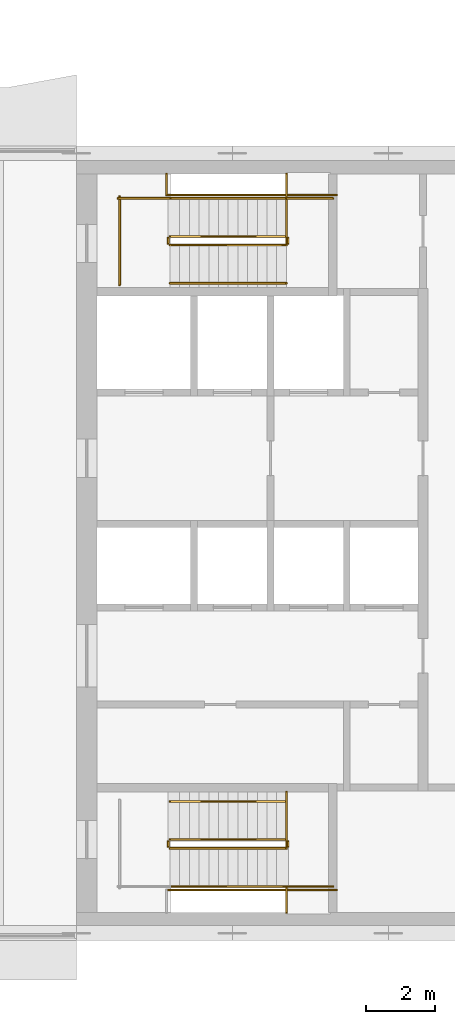
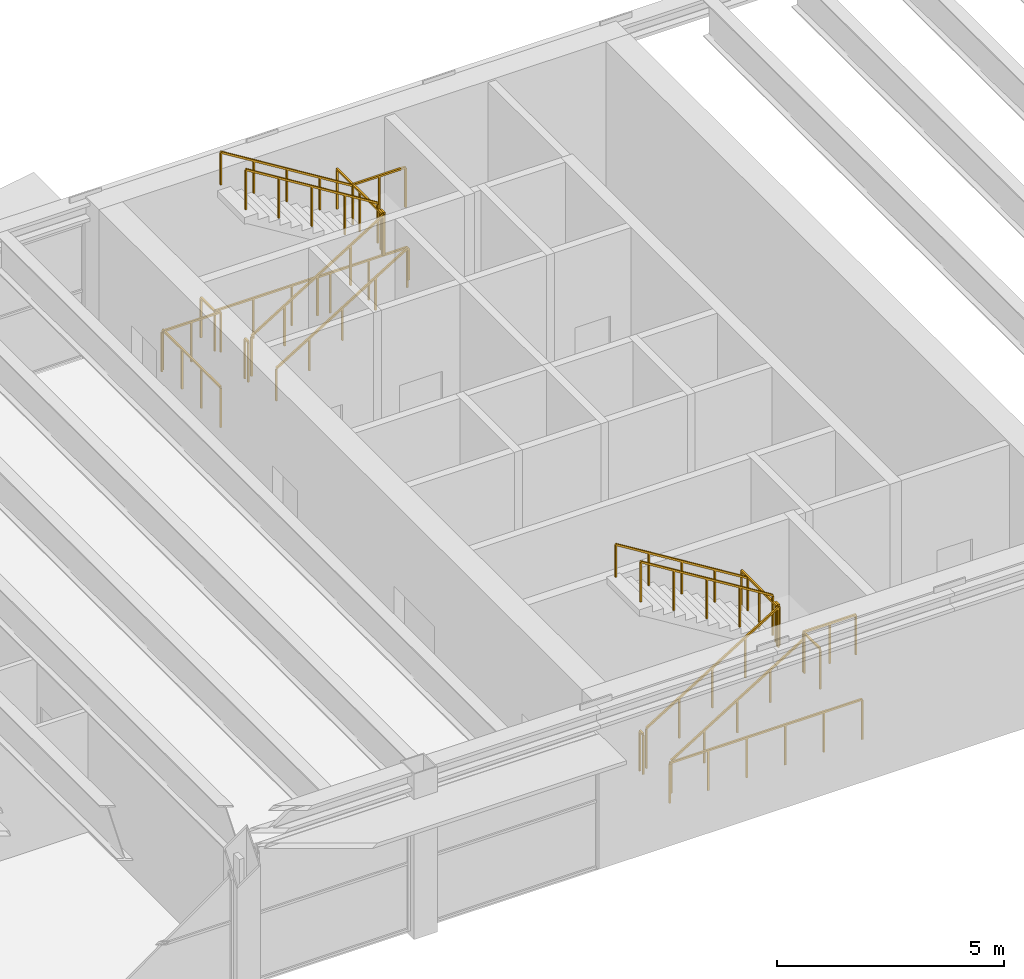
# One storey, part 15 of 15: 22 railings.
"""IFC4 building model written with IfcOpenShell, lengths in metres."""

from ifc_helpers import new_model, si_unit, direction, frame, origin, origin_2d, place, context, subcontext, project, spatial, rectangle, extrude, material, type_object, element, save


model = new_model("IFC4")

# Units and contexts
model_context = context("Model", 3, precision=1e-05, world=origin(), true_north=direction((0.0, 1.0)))
body_context = subcontext(model_context, "Body", "Model", "MODEL_VIEW")
ifc_project = project(units=[si_unit("LENGTHUNIT", "METRE"), si_unit("AREAUNIT", "SQUARE_METRE"), si_unit("VOLUMEUNIT", "CUBIC_METRE"), si_unit("PLANEANGLEUNIT", "RADIAN"), si_unit("MASSUNIT", "GRAM", prefix="KILO")], contexts=[model_context])

# Site, building, storey
site_placement = place(None, origin())
site = spatial("IfcSite", under=ifc_project, at=site_placement, CompositionType="ELEMENT")
building_placement = place(site_placement, origin())
building = spatial("IfcBuilding", under=site, at=building_placement, Name="Sennacour Bend Tower", CompositionType="ELEMENT")
storey_placement = place(building_placement, frame((0.0, 0.0, 341.0)))
storey = spatial("IfcBuildingStorey", under=building, at=storey_placement, Name="L78", CompositionType="ELEMENT", Elevation=341.0)

# Railings
ifc_material = material(Name="Stainless steel", Category="steel")
railing_type_1 = type_object("IfcRailingType", Name="RL-GUARD-1100", PredefinedType="GUARDRAIL", material=ifc_material)
railing_1_placement = place(storey_placement, frame((56.699951171875, 2.449951171875, 0.173095703125)))
element("IfcRailing", 1, at=railing_1_placement, inside=storey, type_object=railing_type_1, Name="L78 SA1 stair guard 1", PredefinedType="GUARDRAIL", context=body_context, shape_type="SweptSolid", body=[
    extrude(rectangle(XDim=0.048095703125, YDim=0.048095703125, at=origin_2d()), frame((0.0, 0.0, 1.076171875), z_axis=(0.850623216509, 0.0, 0.525775754039), x_axis=(0.0, 1.0, 0.0)), (0.0, 0.0, 1.0), 3.9501953125),
    extrude(rectangle(XDim=0.0419921875, YDim=0.0419921875, at=origin_2d()), origin(), (0.0, 0.0, 1.0), 1.052001953125),
    extrude(rectangle(XDim=0.0419921875, YDim=0.0419921875, at=origin_2d()), frame((0.840087890625, 0.0, 0.519287109375)), (0.0, 0.0, 1.0), 1.052001953125),
    extrude(rectangle(XDim=0.0419921875, YDim=0.0419921875, at=origin_2d()), frame((1.68017578125, 0.0, 1.03857421875)), (0.0, 0.0, 1.0), 1.052001953125),
    extrude(rectangle(XDim=0.0419921875, YDim=0.0419921875, at=origin_2d()), frame((2.52001953125, 0.0, 1.5576171875)), (0.0, 0.0, 1.0), 1.052001953125),
    extrude(rectangle(XDim=0.0419921875, YDim=0.0419921875, at=origin_2d()), frame((3.360107421875, 0.0, 2.076904296875)), (0.0, 0.0, 1.0), 1.052001953125),
])
railing_2_placement = place(storey_placement, frame((60.110107421875, 2.5, 2.25)))
element("IfcRailing", 2, at=railing_2_placement, inside=storey, type_object=railing_type_1, Name="L78 SA1 stair guard 2", PredefinedType="GUARDRAIL", context=body_context, shape_type="SweptSolid", body=[
    extrude(rectangle(XDim=0.048095703125, YDim=0.048095703125, at=origin_2d()), frame((0.0, 0.0, 1.076171875), z_axis=(0.0, 1.0, 0.0), x_axis=(-1.0, 0.0, 0.0)), (0.0, 0.0, 1.0), 0.14990234375),
    extrude(rectangle(XDim=0.0419921875, YDim=0.0419921875, at=origin_2d()), origin(), (0.0, 0.0, 1.0), 1.052001953125),
    extrude(rectangle(XDim=0.0419921875, YDim=0.0419921875, at=origin_2d()), frame((0.0, 0.14990234375, 0.0)), (0.0, 0.0, 1.0), 1.052001953125),
])
railing_3_placement = place(storey_placement, frame((60.06005859375, 1.35009765625, 2.25)))
element("IfcRailing", 3, at=railing_3_placement, inside=storey, type_object=railing_type_1, Name="L78 SA1 stair guard 3", PredefinedType="GUARDRAIL", context=body_context, shape_type="SweptSolid", body=[
    extrude(rectangle(XDim=0.048095703125, YDim=0.048095703125, at=origin_2d()), frame((0.0, 0.0, 1.076171875), z_axis=(1.0, 0.0, 0.0), x_axis=(0.0, 1.0, 0.0)), (0.0, 0.0, 1.0), 1.33984375),
    extrude(rectangle(XDim=0.0419921875, YDim=0.0419921875, at=origin_2d()), origin(), (0.0, 0.0, 1.0), 1.052001953125),
    extrude(rectangle(XDim=0.0419921875, YDim=0.0419921875, at=origin_2d()), frame((0.669921875, 0.0, 0.0)), (0.0, 0.0, 1.0), 1.052001953125),
    extrude(rectangle(XDim=0.0419921875, YDim=0.0419921875, at=origin_2d()), frame((1.33984375, 0.0, 0.0)), (0.0, 0.0, 1.0), 1.052001953125),
])
railing_4_placement = place(storey_placement, frame((60.06005859375, 2.699951171875, 2.423095703125)))
element("IfcRailing", 4, at=railing_4_placement, inside=storey, type_object=railing_type_1, Name="L78 SA1 stair guard 4", PredefinedType="GUARDRAIL", context=body_context, shape_type="SweptSolid", body=[
    extrude(rectangle(XDim=0.048095703125, YDim=0.048095703125, at=origin_2d()), frame((0.0, 0.0, 1.076171875), z_axis=(-0.850623216509, 0.0, 0.525775754039), x_axis=(0.0, -1.0, 0.0)), (0.0, 0.0, 1.0), 3.9501953125),
    extrude(rectangle(XDim=0.0419921875, YDim=0.0419921875, at=origin_2d()), origin(), (0.0, 0.0, 1.0), 1.052001953125),
    extrude(rectangle(XDim=0.0419921875, YDim=0.0419921875, at=origin_2d()), frame((-0.840087890625, 0.0, 0.519287109375)), (0.0, 0.0, 1.0), 1.052001953125),
    extrude(rectangle(XDim=0.0419921875, YDim=0.0419921875, at=origin_2d()), frame((-1.68017578125, 0.0, 1.03857421875)), (0.0, 0.0, 1.0), 1.052001953125),
    extrude(rectangle(XDim=0.0419921875, YDim=0.0419921875, at=origin_2d()), frame((-2.52001953125, 0.0, 1.5576171875)), (0.0, 0.0, 1.0), 1.052001953125),
    extrude(rectangle(XDim=0.0419921875, YDim=0.0419921875, at=origin_2d()), frame((-3.360107421875, 0.0, 2.076904296875)), (0.0, 0.0, 1.0), 1.052001953125),
])
railing_5_placement = place(storey_placement, frame((56.64990234375, 2.5, 0.0)))
element("IfcRailing", 5, at=railing_5_placement, inside=storey, type_object=railing_type_1, Name="L78 SA1 stair guard 5", PredefinedType="GUARDRAIL", context=body_context, shape_type="SweptSolid", body=[
    extrude(rectangle(XDim=0.048095703125, YDim=0.048095703125, at=origin_2d()), frame((0.0, 0.0, 1.076171875), z_axis=(0.0, 1.0, 0.0), x_axis=(-1.0, 0.0, 0.0)), (0.0, 0.0, 1.0), 0.14990234375),
    extrude(rectangle(XDim=0.0419921875, YDim=0.0419921875, at=origin_2d()), origin(), (0.0, 0.0, 1.0), 1.052001953125),
    extrude(rectangle(XDim=0.0419921875, YDim=0.0419921875, at=origin_2d()), frame((0.0, 0.14990234375, 0.0)), (0.0, 0.0, 1.0), 1.052001953125),
])
railing_6_placement = place(storey_placement, frame((56.60009765625, 1.25, 0.0)))
element("IfcRailing", 6, at=railing_6_placement, inside=storey, type_object=railing_type_1, Name="L78 SA1 stair guard 8", PredefinedType="GUARDRAIL", context=body_context, shape_type="SweptSolid", body=[
    extrude(rectangle(XDim=0.048095703125, YDim=0.048095703125, at=origin_2d()), frame((0.0, 0.0, 1.076171875), z_axis=(1.0, 0.0, 0.0), x_axis=(0.0, 1.0, 0.0)), (0.0, 0.0, 1.0), 4.89990234375),
    extrude(rectangle(XDim=0.0419921875, YDim=0.0419921875, at=origin_2d()), origin(), (0.0, 0.0, 1.0), 1.052001953125),
    extrude(rectangle(XDim=0.0419921875, YDim=0.0419921875, at=origin_2d()), frame((0.97998046875, 0.0, 0.0)), (0.0, 0.0, 1.0), 1.052001953125),
    extrude(rectangle(XDim=0.0419921875, YDim=0.0419921875, at=origin_2d()), frame((1.9599609375, 0.0, 0.0)), (0.0, 0.0, 1.0), 1.052001953125),
    extrude(rectangle(XDim=0.0419921875, YDim=0.0419921875, at=origin_2d()), frame((2.93994140625, 0.0, 0.0)), (0.0, 0.0, 1.0), 1.052001953125),
    extrude(rectangle(XDim=0.0419921875, YDim=0.0419921875, at=origin_2d()), frame((3.919921875, 0.0, 0.0)), (0.0, 0.0, 1.0), 1.052001953125),
    extrude(rectangle(XDim=0.0419921875, YDim=0.0419921875, at=origin_2d()), frame((4.89990234375, 0.0, 0.0)), (0.0, 0.0, 1.0), 1.052001953125),
])
railing_7_placement = place(storey_placement, frame((60.06005859375, 0.60009765625, 2.25)))
element("IfcRailing", 7, at=railing_7_placement, inside=storey, type_object=railing_type_1, Name="L78 SA1 landing edge guard 129", PredefinedType="GUARDRAIL", context=body_context, shape_type="SweptSolid", body=[
    extrude(rectangle(XDim=0.048095703125, YDim=0.048095703125, at=origin_2d()), frame((0.0, 0.0, 1.076171875), z_axis=(0.0, 1.0, 0.0), x_axis=(-1.0, 0.0, 0.0)), (0.0, 0.0, 1.0), 0.699951171875),
    extrude(rectangle(XDim=0.0419921875, YDim=0.0419921875, at=origin_2d()), origin(), (0.0, 0.0, 1.0), 1.052001953125),
    extrude(rectangle(XDim=0.0419921875, YDim=0.0419921875, at=origin_2d()), frame((0.0, 0.699951171875, 0.0)), (0.0, 0.0, 1.0), 1.052001953125),
])
railing_8_placement = place(storey_placement, frame((60.06005859375, 2.5, 2.25)))
element("IfcRailing", 8, at=railing_8_placement, inside=storey, type_object=railing_type_1, Name="L78 SA1 landing edge guard 130", PredefinedType="GUARDRAIL", context=body_context, shape_type="SweptSolid", body=[
    extrude(rectangle(XDim=0.048095703125, YDim=0.048095703125, at=origin_2d()), frame((0.0, 0.0, 1.076171875), z_axis=(0.0, 1.0, 0.0), x_axis=(-1.0, 0.0, 0.0)), (0.0, 0.0, 1.0), 1.574951171875),
    extrude(rectangle(XDim=0.0419921875, YDim=0.0419921875, at=origin_2d()), origin(), (0.0, 0.0, 1.0), 1.052001953125),
    extrude(rectangle(XDim=0.0419921875, YDim=0.0419921875, at=origin_2d()), frame((0.0, 0.78759765625, 0.0)), (0.0, 0.0, 1.0), 1.052001953125),
    extrude(rectangle(XDim=0.0419921875, YDim=0.0419921875, at=origin_2d()), frame((0.0, 1.574951171875, 0.0)), (0.0, 0.0, 1.0), 1.052001953125),
])
railing_9_placement = place(storey_placement, frame((56.699951171875, 19.85009765625, 0.173095703125)))
element("IfcRailing", 9, at=railing_9_placement, inside=storey, type_object=railing_type_1, Name="L78 SA2 stair guard 1", PredefinedType="GUARDRAIL", context=body_context, shape_type="SweptSolid", body=[
    extrude(rectangle(XDim=0.048095703125, YDim=0.048095703125, at=origin_2d()), frame((0.0, 0.0, 1.076171875), z_axis=(0.850623216509, 0.0, 0.525775754039), x_axis=(0.0, 1.0, 0.0)), (0.0, 0.0, 1.0), 3.9501953125),
    extrude(rectangle(XDim=0.0419921875, YDim=0.0419921875, at=origin_2d()), origin(), (0.0, 0.0, 1.0), 1.052001953125),
    extrude(rectangle(XDim=0.0419921875, YDim=0.0419921875, at=origin_2d()), frame((0.840087890625, 0.0, 0.519287109375)), (0.0, 0.0, 1.0), 1.052001953125),
    extrude(rectangle(XDim=0.0419921875, YDim=0.0419921875, at=origin_2d()), frame((1.68017578125, 0.0, 1.03857421875)), (0.0, 0.0, 1.0), 1.052001953125),
    extrude(rectangle(XDim=0.0419921875, YDim=0.0419921875, at=origin_2d()), frame((2.52001953125, 0.0, 1.5576171875)), (0.0, 0.0, 1.0), 1.052001953125),
    extrude(rectangle(XDim=0.0419921875, YDim=0.0419921875, at=origin_2d()), frame((3.360107421875, 0.0, 2.076904296875)), (0.0, 0.0, 1.0), 1.052001953125),
])
railing_10_placement = place(storey_placement, frame((60.110107421875, 19.89990234375, 2.25)))
element("IfcRailing", 10, at=railing_10_placement, inside=storey, type_object=railing_type_1, Name="L78 SA2 stair guard 2", PredefinedType="GUARDRAIL", context=body_context, shape_type="SweptSolid", body=[
    extrude(rectangle(XDim=0.048095703125, YDim=0.048095703125, at=origin_2d()), frame((0.0, 0.0, 1.076171875), z_axis=(0.0, 1.0, 0.0), x_axis=(-1.0, 0.0, 0.0)), (0.0, 0.0, 1.0), 0.150146484375),
    extrude(rectangle(XDim=0.0419921875, YDim=0.0419921875, at=origin_2d()), origin(), (0.0, 0.0, 1.0), 1.052001953125),
    extrude(rectangle(XDim=0.0419921875, YDim=0.0419921875, at=origin_2d()), frame((0.0, 0.150146484375, 0.0)), (0.0, 0.0, 1.0), 1.052001953125),
])
railing_11_placement = place(storey_placement, frame((60.06005859375, 21.199951171875, 2.25)))
element("IfcRailing", 11, at=railing_11_placement, inside=storey, type_object=railing_type_1, Name="L78 SA2 stair guard 3", PredefinedType="GUARDRAIL", context=body_context, shape_type="SweptSolid", body=[
    extrude(rectangle(XDim=0.048095703125, YDim=0.048095703125, at=origin_2d()), frame((0.0, 0.0, 1.076171875), z_axis=(1.0, 0.0, 0.0), x_axis=(0.0, 1.0, 0.0)), (0.0, 0.0, 1.0), 1.33984375),
    extrude(rectangle(XDim=0.0419921875, YDim=0.0419921875, at=origin_2d()), origin(), (0.0, 0.0, 1.0), 1.052001953125),
    extrude(rectangle(XDim=0.0419921875, YDim=0.0419921875, at=origin_2d()), frame((0.669921875, 0.0, 0.0)), (0.0, 0.0, 1.0), 1.052001953125),
    extrude(rectangle(XDim=0.0419921875, YDim=0.0419921875, at=origin_2d()), frame((1.33984375, 0.0, 0.0)), (0.0, 0.0, 1.0), 1.052001953125),
])
railing_12_placement = place(storey_placement, frame((60.06005859375, 20.10009765625, 2.423095703125)))
element("IfcRailing", 12, at=railing_12_placement, inside=storey, type_object=railing_type_1, Name="L78 SA2 stair guard 4", PredefinedType="GUARDRAIL", context=body_context, shape_type="SweptSolid", body=[
    extrude(rectangle(XDim=0.048095703125, YDim=0.048095703125, at=origin_2d()), frame((0.0, 0.0, 1.076171875), z_axis=(-0.850623216509, 0.0, 0.525775754039), x_axis=(0.0, -1.0, 0.0)), (0.0, 0.0, 1.0), 3.9501953125),
    extrude(rectangle(XDim=0.0419921875, YDim=0.0419921875, at=origin_2d()), origin(), (0.0, 0.0, 1.0), 1.052001953125),
    extrude(rectangle(XDim=0.0419921875, YDim=0.0419921875, at=origin_2d()), frame((-0.840087890625, 0.0, 0.519287109375)), (0.0, 0.0, 1.0), 1.052001953125),
    extrude(rectangle(XDim=0.0419921875, YDim=0.0419921875, at=origin_2d()), frame((-1.68017578125, 0.0, 1.03857421875)), (0.0, 0.0, 1.0), 1.052001953125),
    extrude(rectangle(XDim=0.0419921875, YDim=0.0419921875, at=origin_2d()), frame((-2.52001953125, 0.0, 1.5576171875)), (0.0, 0.0, 1.0), 1.052001953125),
    extrude(rectangle(XDim=0.0419921875, YDim=0.0419921875, at=origin_2d()), frame((-3.360107421875, 0.0, 2.076904296875)), (0.0, 0.0, 1.0), 1.052001953125),
])
railing_13_placement = place(storey_placement, frame((56.64990234375, 19.89990234375, 0.0)))
element("IfcRailing", 13, at=railing_13_placement, inside=storey, type_object=railing_type_1, Name="L78 SA2 stair guard 5", PredefinedType="GUARDRAIL", context=body_context, shape_type="SweptSolid", body=[
    extrude(rectangle(XDim=0.048095703125, YDim=0.048095703125, at=origin_2d()), frame((0.0, 0.0, 1.076171875), z_axis=(0.0, 1.0, 0.0), x_axis=(-1.0, 0.0, 0.0)), (0.0, 0.0, 1.0), 0.150146484375),
    extrude(rectangle(XDim=0.0419921875, YDim=0.0419921875, at=origin_2d()), origin(), (0.0, 0.0, 1.0), 1.052001953125),
    extrude(rectangle(XDim=0.0419921875, YDim=0.0419921875, at=origin_2d()), frame((0.0, 0.150146484375, 0.0)), (0.0, 0.0, 1.0), 1.052001953125),
])
railing_14_placement = place(storey_placement, frame((55.199951171875, 21.199951171875, 0.0)))
element("IfcRailing", 14, at=railing_14_placement, inside=storey, type_object=railing_type_1, Name="L78 SA2 stair guard 6", PredefinedType="GUARDRAIL", context=body_context, shape_type="SweptSolid", body=[
    extrude(rectangle(XDim=0.048095703125, YDim=0.048095703125, at=origin_2d()), frame((0.0, 0.0, 1.076171875), z_axis=(1.0, 0.0, 0.0), x_axis=(0.0, 1.0, 0.0)), (0.0, 0.0, 1.0), 1.5),
    extrude(rectangle(XDim=0.0419921875, YDim=0.0419921875, at=origin_2d()), origin(), (0.0, 0.0, 1.0), 1.052001953125),
    extrude(rectangle(XDim=0.0419921875, YDim=0.0419921875, at=origin_2d()), frame((0.75, 0.0, 0.0)), (0.0, 0.0, 1.0), 1.052001953125),
    extrude(rectangle(XDim=0.0419921875, YDim=0.0419921875, at=origin_2d()), frame((1.5, 0.0, 0.0)), (0.0, 0.0, 1.0), 1.052001953125),
])
railing_15_placement = place(storey_placement, frame((55.25, 18.699951171875, 0.0)))
element("IfcRailing", 15, at=railing_15_placement, inside=storey, type_object=railing_type_1, Name="L78 SA2 stair guard 7", PredefinedType="GUARDRAIL", context=body_context, shape_type="SweptSolid", body=[
    extrude(rectangle(XDim=0.048095703125, YDim=0.048095703125, at=origin_2d()), frame((0.0, 0.0, 1.076171875), z_axis=(0.0, 1.0, 0.0), x_axis=(-1.0, 0.0, 0.0)), (0.0, 0.0, 1.0), 2.550048828125),
    extrude(rectangle(XDim=0.0419921875, YDim=0.0419921875, at=origin_2d()), origin(), (0.0, 0.0, 1.0), 1.052001953125),
    extrude(rectangle(XDim=0.0419921875, YDim=0.0419921875, at=origin_2d()), frame((0.0, 0.85009765625, 0.0)), (0.0, 0.0, 1.0), 1.052001953125),
    extrude(rectangle(XDim=0.0419921875, YDim=0.0419921875, at=origin_2d()), frame((0.0, 1.699951171875, 0.0)), (0.0, 0.0, 1.0), 1.052001953125),
    extrude(rectangle(XDim=0.0419921875, YDim=0.0419921875, at=origin_2d()), frame((0.0, 2.550048828125, 0.0)), (0.0, 0.0, 1.0), 1.052001953125),
])
railing_16_placement = place(storey_placement, frame((56.60009765625, 21.300048828125, 0.0)))
element("IfcRailing", 16, at=railing_16_placement, inside=storey, type_object=railing_type_1, Name="L78 SA2 stair guard 8", PredefinedType="GUARDRAIL", context=body_context, shape_type="SweptSolid", body=[
    extrude(rectangle(XDim=0.048095703125, YDim=0.048095703125, at=origin_2d()), frame((0.0, 0.0, 1.076171875), z_axis=(1.0, 0.0, 0.0), x_axis=(0.0, 1.0, 0.0)), (0.0, 0.0, 1.0), 4.89990234375),
    extrude(rectangle(XDim=0.0419921875, YDim=0.0419921875, at=origin_2d()), origin(), (0.0, 0.0, 1.0), 1.052001953125),
    extrude(rectangle(XDim=0.0419921875, YDim=0.0419921875, at=origin_2d()), frame((0.97998046875, 0.0, 0.0)), (0.0, 0.0, 1.0), 1.052001953125),
    extrude(rectangle(XDim=0.0419921875, YDim=0.0419921875, at=origin_2d()), frame((1.9599609375, 0.0, 0.0)), (0.0, 0.0, 1.0), 1.052001953125),
    extrude(rectangle(XDim=0.0419921875, YDim=0.0419921875, at=origin_2d()), frame((2.93994140625, 0.0, 0.0)), (0.0, 0.0, 1.0), 1.052001953125),
    extrude(rectangle(XDim=0.0419921875, YDim=0.0419921875, at=origin_2d()), frame((3.919921875, 0.0, 0.0)), (0.0, 0.0, 1.0), 1.052001953125),
    extrude(rectangle(XDim=0.0419921875, YDim=0.0419921875, at=origin_2d()), frame((4.89990234375, 0.0, 0.0)), (0.0, 0.0, 1.0), 1.052001953125),
])
railing_17_placement = place(storey_placement, frame((60.06005859375, 19.89990234375, 2.25)))
element("IfcRailing", 17, at=railing_17_placement, inside=storey, type_object=railing_type_1, Name="L78 SA2 landing edge guard 101", PredefinedType="GUARDRAIL", context=body_context, shape_type="SweptSolid", body=[
    extrude(rectangle(XDim=0.048095703125, YDim=0.048095703125, at=origin_2d()), frame((0.0, 0.0, 1.076171875), z_axis=(0.0, 1.0, 0.0), x_axis=(-1.0, 0.0, 0.0)), (0.0, 0.0, 1.0), 2.0),
    extrude(rectangle(XDim=0.0419921875, YDim=0.0419921875, at=origin_2d()), origin(), (0.0, 0.0, 1.0), 1.052001953125),
    extrude(rectangle(XDim=0.0419921875, YDim=0.0419921875, at=origin_2d()), frame((0.0, 1.0, 0.0)), (0.0, 0.0, 1.0), 1.052001953125),
    extrude(rectangle(XDim=0.0419921875, YDim=0.0419921875, at=origin_2d()), frame((0.0, 2.0, 0.0)), (0.0, 0.0, 1.0), 1.052001953125),
])
railing_18_placement = place(storey_placement, frame((56.60009765625, 21.300048828125, 0.0)))
element("IfcRailing", 18, at=railing_18_placement, inside=storey, type_object=railing_type_1, Name="L78 SA2 landing edge guard 132", PredefinedType="GUARDRAIL", context=body_context, shape_type="SweptSolid", body=[
    extrude(rectangle(XDim=0.048095703125, YDim=0.048095703125, at=origin_2d()), frame((0.0, 0.0, 1.076171875), z_axis=(0.0, 1.0, 0.0), x_axis=(-1.0, 0.0, 0.0)), (0.0, 0.0, 1.0), 0.599853515625),
    extrude(rectangle(XDim=0.0419921875, YDim=0.0419921875, at=origin_2d()), origin(), (0.0, 0.0, 1.0), 1.052001953125),
    extrude(rectangle(XDim=0.0419921875, YDim=0.0419921875, at=origin_2d()), frame((0.0, 0.599853515625, 0.0)), (0.0, 0.0, 1.0), 1.052001953125),
])
railing_type_2 = type_object("IfcRailingType", Name="RL-HANDRAIL-900", PredefinedType="HANDRAIL", material=ifc_material)
railing_19_placement = place(storey_placement, frame((56.699951171875, 1.35009765625, 0.173095703125)))
element("IfcRailing", 19, at=railing_19_placement, inside=storey, type_object=railing_type_2, Name="L78 SA1 stair handrail 1", PredefinedType="HANDRAIL", context=body_context, shape_type="SweptSolid", body=[
    extrude(rectangle(XDim=0.048095703125, YDim=0.048095703125, at=origin_2d()), frame((0.0, 0.0, 0.8759765625), z_axis=(0.850623216509, 0.0, 0.525775754039), x_axis=(0.0, 1.0, 0.0)), (0.0, 0.0, 1.0), 3.9501953125),
    extrude(rectangle(XDim=0.0419921875, YDim=0.0419921875, at=origin_2d()), origin(), (0.0, 0.0, 1.0), 0.851806640625),
    extrude(rectangle(XDim=0.0419921875, YDim=0.0419921875, at=origin_2d()), frame((0.840087890625, 0.0, 0.519287109375)), (0.0, 0.0, 1.0), 0.851806640625),
    extrude(rectangle(XDim=0.0419921875, YDim=0.0419921875, at=origin_2d()), frame((1.68017578125, 0.0, 1.03857421875)), (0.0, 0.0, 1.0), 0.851806640625),
    extrude(rectangle(XDim=0.0419921875, YDim=0.0419921875, at=origin_2d()), frame((2.52001953125, 0.0, 1.5576171875)), (0.0, 0.0, 1.0), 0.851806640625),
    extrude(rectangle(XDim=0.0419921875, YDim=0.0419921875, at=origin_2d()), frame((3.360107421875, 0.0, 2.076904296875)), (0.0, 0.0, 1.0), 0.851806640625),
])
railing_20_placement = place(storey_placement, frame((60.06005859375, 3.800048828125, 2.423095703125)))
element("IfcRailing", 20, at=railing_20_placement, inside=storey, type_object=railing_type_2, Name="L78 SA1 stair handrail 2", PredefinedType="HANDRAIL", context=body_context, shape_type="SweptSolid", body=[
    extrude(rectangle(XDim=0.048095703125, YDim=0.048095703125, at=origin_2d()), frame((0.0, 0.0, 0.8759765625), z_axis=(-0.850623216509, 0.0, 0.525775754039), x_axis=(0.0, -1.0, 0.0)), (0.0, 0.0, 1.0), 3.9501953125),
    extrude(rectangle(XDim=0.0419921875, YDim=0.0419921875, at=origin_2d()), origin(), (0.0, 0.0, 1.0), 0.851806640625),
    extrude(rectangle(XDim=0.0419921875, YDim=0.0419921875, at=origin_2d()), frame((-0.840087890625, 0.0, 0.519287109375)), (0.0, 0.0, 1.0), 0.851806640625),
    extrude(rectangle(XDim=0.0419921875, YDim=0.0419921875, at=origin_2d()), frame((-1.68017578125, 0.0, 1.03857421875)), (0.0, 0.0, 1.0), 0.851806640625),
    extrude(rectangle(XDim=0.0419921875, YDim=0.0419921875, at=origin_2d()), frame((-2.52001953125, 0.0, 1.5576171875)), (0.0, 0.0, 1.0), 0.851806640625),
    extrude(rectangle(XDim=0.0419921875, YDim=0.0419921875, at=origin_2d()), frame((-3.360107421875, 0.0, 2.076904296875)), (0.0, 0.0, 1.0), 0.851806640625),
])
railing_21_placement = place(storey_placement, frame((56.699951171875, 18.75, 0.173095703125)))
element("IfcRailing", 21, at=railing_21_placement, inside=storey, type_object=railing_type_2, Name="L78 SA2 stair handrail 1", PredefinedType="HANDRAIL", context=body_context, shape_type="SweptSolid", body=[
    extrude(rectangle(XDim=0.048095703125, YDim=0.048095703125, at=origin_2d()), frame((0.0, 0.0, 0.8759765625), z_axis=(0.850623216509, 0.0, 0.525775754039), x_axis=(0.0, 1.0, 0.0)), (0.0, 0.0, 1.0), 3.9501953125),
    extrude(rectangle(XDim=0.0419921875, YDim=0.0419921875, at=origin_2d()), origin(), (0.0, 0.0, 1.0), 0.851806640625),
    extrude(rectangle(XDim=0.0419921875, YDim=0.0419921875, at=origin_2d()), frame((0.840087890625, 0.0, 0.519287109375)), (0.0, 0.0, 1.0), 0.851806640625),
    extrude(rectangle(XDim=0.0419921875, YDim=0.0419921875, at=origin_2d()), frame((1.68017578125, 0.0, 1.03857421875)), (0.0, 0.0, 1.0), 0.851806640625),
    extrude(rectangle(XDim=0.0419921875, YDim=0.0419921875, at=origin_2d()), frame((2.52001953125, 0.0, 1.5576171875)), (0.0, 0.0, 1.0), 0.851806640625),
    extrude(rectangle(XDim=0.0419921875, YDim=0.0419921875, at=origin_2d()), frame((3.360107421875, 0.0, 2.076904296875)), (0.0, 0.0, 1.0), 0.851806640625),
])
railing_22_placement = place(storey_placement, frame((60.06005859375, 21.199951171875, 2.423095703125)))
element("IfcRailing", 22, at=railing_22_placement, inside=storey, type_object=railing_type_2, Name="L78 SA2 stair handrail 2", PredefinedType="HANDRAIL", context=body_context, shape_type="SweptSolid", body=[
    extrude(rectangle(XDim=0.048095703125, YDim=0.048095703125, at=origin_2d()), frame((0.0, 0.0, 0.8759765625), z_axis=(-0.850623216509, 0.0, 0.525775754039), x_axis=(0.0, -1.0, 0.0)), (0.0, 0.0, 1.0), 3.9501953125),
    extrude(rectangle(XDim=0.0419921875, YDim=0.0419921875, at=origin_2d()), origin(), (0.0, 0.0, 1.0), 0.851806640625),
    extrude(rectangle(XDim=0.0419921875, YDim=0.0419921875, at=origin_2d()), frame((-0.840087890625, 0.0, 0.519287109375)), (0.0, 0.0, 1.0), 0.851806640625),
    extrude(rectangle(XDim=0.0419921875, YDim=0.0419921875, at=origin_2d()), frame((-1.68017578125, 0.0, 1.03857421875)), (0.0, 0.0, 1.0), 0.851806640625),
    extrude(rectangle(XDim=0.0419921875, YDim=0.0419921875, at=origin_2d()), frame((-2.52001953125, 0.0, 1.5576171875)), (0.0, 0.0, 1.0), 0.851806640625),
    extrude(rectangle(XDim=0.0419921875, YDim=0.0419921875, at=origin_2d()), frame((-3.360107421875, 0.0, 2.076904296875)), (0.0, 0.0, 1.0), 0.851806640625),
])

save(model, "model.ifc")
